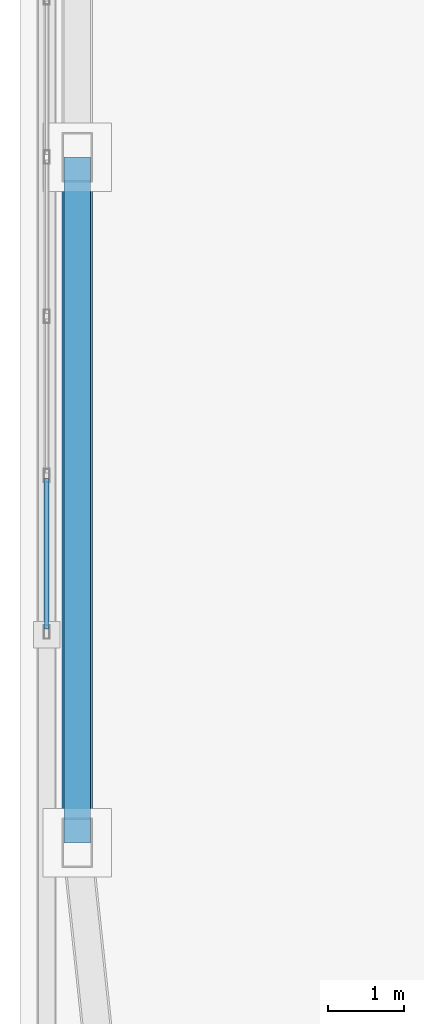
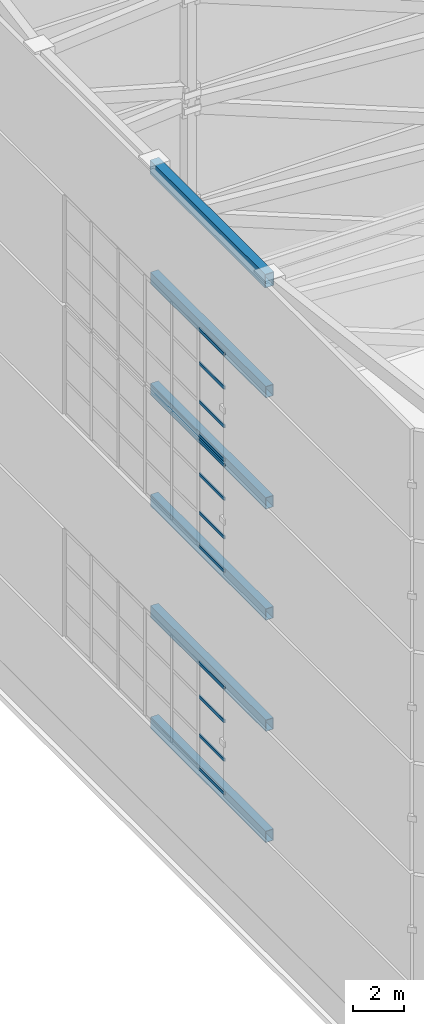
# One storey, part 4 of 47: 12 members, 6 beams, 3 elements without a shape of their own.
"""IFC4 building model written with IfcOpenShell, lengths in metres."""

from ifc_helpers import new_model, si_unit, direction, frame, origin, origin_2d, place, context, subcontext, project, spatial, hollow_rectangle, extrude, material, layer, layer_set, material_profile, profile_set, type_object, element, aggregate, save


model = new_model("IFC4")

# Units and contexts
model_context = context("Model", 3, precision=1e-05, world=origin(), true_north=direction((0.0, 1.0)))
body_context = subcontext(model_context, "Body", "Model", "MODEL_VIEW")
ifc_project = project(units=[si_unit("LENGTHUNIT", "METRE"), si_unit("AREAUNIT", "SQUARE_METRE"), si_unit("VOLUMEUNIT", "CUBIC_METRE"), si_unit("PLANEANGLEUNIT", "RADIAN"), si_unit("MASSUNIT", "GRAM", prefix="KILO")], contexts=[model_context])

# Site, building, storey
site_placement = place(None, origin())
site = spatial("IfcSite", under=ifc_project, at=site_placement, CompositionType="ELEMENT")
building_placement = place(site_placement, origin())
building = spatial("IfcBuilding", under=site, at=building_placement, Name="Qiaolan Cultural Towers", CompositionType="ELEMENT")
storey_placement = place(building_placement, frame((0.0, 0.0, 280.199951171875)))
storey = spatial("IfcBuildingStorey", under=building, at=storey_placement, Name="RF", CompositionType="ELEMENT", Elevation=280.199951171875)

# Beams
ifc_material_1 = material(Name="Steel Q355B", Category="steel")
ifc_material_profile_1 = material_profile(ifc_material_1, hollow_rectangle(XDim=0.39990234375, YDim=0.64990234375, WallThickness=0.02001953125, at=origin_2d()), Name="BOX650x400x20")
ifc_profile_set_1 = profile_set([ifc_material_profile_1], Name="Steel Q355B")
beam_type_1 = type_object("IfcBeamType", Name="BM-CROWN-FRAME-1", PredefinedType="BEAM", material=ifc_profile_set_1)
beam_placement = place(storey_placement, frame((15.35009765625, 34.0, 31.47509765625), z_axis=(0.0, -1.0, 0.0), x_axis=(1.0, 0.0, 0.0)))
element("IfcBeam", 1, at=beam_placement, inside=storey, type_object=beam_type_1, Name="T1 Crown Frame Top Cap Ring Beam T6-12", PredefinedType="BEAM", context=body_context, shape_type="SweptSolid", body=[
    extrude(hollow_rectangle(XDim=0.39990234375, YDim=0.64990234375, WallThickness=0.02001953125, at=origin_2d()), origin(), (0.0, 0.0, 1.0), 9.0),
])
ifc_material_2 = material(Name="Steel Q355B", Category="steel")
ifc_material_profile_2 = material_profile(ifc_material_2, hollow_rectangle(XDim=0.35009765625, YDim=0.550048828125, WallThickness=0.01806640625, at=origin_2d()), Name="BOX550x350x18")
ifc_profile_set_2 = profile_set([ifc_material_profile_2], Name="Steel Q355B")
beam_type_2 = type_object("IfcBeamType", Name="BM-CROWN-FRAME-2", PredefinedType="BEAM", material=ifc_profile_set_2)
for number, where, z_axis, x_axis, name in (
    (2, (15.35009765625, 34.0, 4.97509765625), (0.0, -1.0, 0.0), (1.0, 0.0, 0.0), "T1 Crown Frame Ring Beam T1-12"),
    (3, (15.35009765625, 34.0, 10.275146484375), (0.0, -1.0, 0.0), (1.0, 0.0, 0.0), "T1 Crown Frame Ring Beam T2-12"),
    (4, (15.35009765625, 34.0, 15.574951171875), (0.0, -1.0, 0.0), (1.0, 0.0, 0.0), "T1 Crown Frame Ring Beam T3-12"),
    (5, (15.35009765625, 34.0, 20.875), (0.0, -1.0, 0.0), (1.0, 0.0, 0.0), "T1 Crown Frame Ring Beam T4-12"),
    (6, (15.35009765625, 34.0, 26.175048828125), (0.0, -1.0, 0.0), (1.0, 0.0, 0.0), "T1 Crown Frame Ring Beam T5-12"),
):
    element("IfcBeam", number, at=place(storey_placement, frame(where, z_axis=z_axis, x_axis=x_axis)), inside=storey, type_object=beam_type_2, Name=name, PredefinedType="BEAM", context=body_context, shape_type="SweptSolid", body=[
        extrude(hollow_rectangle(XDim=0.35009765625, YDim=0.550048828125, WallThickness=0.01806640625, at=origin_2d()), origin(), (0.0, 0.0, 1.0), 9.0),
    ])

# Curtain wall, members
ifc_material_3 = material(Name="Unitized Anodized Aluminium Curtain Wall System", Category="aluminium")
ifc_layer = layer(ifc_material_3, 0.199951171875)
ifc_layer_set = layer_set([ifc_layer], Name="Unitized Anodized Aluminium Curtain Wall System")
curtain_wall_type = type_object("IfcCurtainWallType", Name="CWS-06", PredefinedType="NOTDEFINED", material=ifc_layer_set)
curtain_wall_1_placement = place(storey_placement, origin())
curtain_wall_1 = element("IfcCurtainWall", 7, at=curtain_wall_1_placement, inside=storey, type_object=curtain_wall_type, Name="T1 Crown Tier 2 Fritted Screen Curtain Wall 7", PredefinedType="NOTDEFINED")
ifc_material_4 = material(Name="Extruded Aluminium 6063-T6", Category="aluminium")
ifc_material_profile_3 = material_profile(ifc_material_4, hollow_rectangle(XDim=0.06494140625, YDim=0.14990234375, WallThickness=0.00390625, at=origin_2d()), Name="CWT-150x65x4")
ifc_profile_set_3 = profile_set([ifc_material_profile_3], Name="Extruded Aluminium 6063-T6")
member_type = type_object("IfcMemberType", Name="CWS-06-TRN", PredefinedType="USERDEFINED", material=ifc_profile_set_3)
member_1_placement = place(storey_placement, frame((14.949951171875, 29.782470703125, 5.4326171875), z_axis=(0.0, -1.0, 0.0), x_axis=(1.0, 0.0, 0.0)))
member_1 = element("IfcMember", 8, at=member_1_placement, type_object=member_type, Name="CW-6 transom 6.1", ObjectType="TRANSOM", PredefinedType="USERDEFINED", context=body_context, shape_type="SweptSolid", body=[
    extrude(hollow_rectangle(XDim=0.06494140625, YDim=0.14990234375, WallThickness=0.00390625, at=origin_2d()), origin(), (0.0, 0.0, 1.0), 1.9775390625),
])
member_2_placement = place(storey_placement, frame((14.949951171875, 29.782470703125, 7.030029296875), z_axis=(0.0, -1.0, 0.0), x_axis=(1.0, 0.0, 0.0)))
member_2 = element("IfcMember", 9, at=member_2_placement, type_object=member_type, Name="CW-6 transom 6.2", ObjectType="TRANSOM", PredefinedType="USERDEFINED", context=body_context, shape_type="SweptSolid", body=[
    extrude(hollow_rectangle(XDim=0.06494140625, YDim=0.14990234375, WallThickness=0.00390625, at=origin_2d()), origin(), (0.0, 0.0, 1.0), 1.9775390625),
])
member_3_placement = place(storey_placement, frame((14.949951171875, 29.782470703125, 8.8701171875), z_axis=(0.0, -1.0, 0.0), x_axis=(1.0, 0.0, 0.0)))
member_3 = element("IfcMember", 10, at=member_3_placement, type_object=member_type, Name="CW-6 transom 6.3", ObjectType="TRANSOM", PredefinedType="USERDEFINED", context=body_context, shape_type="SweptSolid", body=[
    extrude(hollow_rectangle(XDim=0.06494140625, YDim=0.14990234375, WallThickness=0.00390625, at=origin_2d()), origin(), (0.0, 0.0, 1.0), 1.9775390625),
])
member_4_placement = place(storey_placement, frame((14.949951171875, 29.782470703125, 10.467529296875), z_axis=(0.0, -1.0, 0.0), x_axis=(1.0, 0.0, 0.0)))
member_4 = element("IfcMember", 11, at=member_4_placement, type_object=member_type, Name="CW-6 transom 6.4", ObjectType="TRANSOM", PredefinedType="USERDEFINED", context=body_context, shape_type="SweptSolid", body=[
    extrude(hollow_rectangle(XDim=0.06494140625, YDim=0.14990234375, WallThickness=0.00390625, at=origin_2d()), origin(), (0.0, 0.0, 1.0), 1.9775390625),
])
aggregate(curtain_wall_1, [member_1, member_2, member_3, member_4])

curtain_wall_2_placement = place(storey_placement, origin())
curtain_wall_2 = element("IfcCurtainWall", 12, at=curtain_wall_2_placement, inside=storey, type_object=curtain_wall_type, Name="T1 Crown Tier 4 Fritted Screen Curtain Wall 7", PredefinedType="NOTDEFINED")
member_5_placement = place(storey_placement, frame((14.949951171875, 29.782470703125, 16.032470703125), z_axis=(0.0, -1.0, 0.0), x_axis=(1.0, 0.0, 0.0)))
member_5 = element("IfcMember", 13, at=member_5_placement, type_object=member_type, Name="CW-6 transom 6.1", ObjectType="TRANSOM", PredefinedType="USERDEFINED", context=body_context, shape_type="SweptSolid", body=[
    extrude(hollow_rectangle(XDim=0.06494140625, YDim=0.14990234375, WallThickness=0.00390625, at=origin_2d()), origin(), (0.0, 0.0, 1.0), 1.9775390625),
])
member_6_placement = place(storey_placement, frame((14.949951171875, 29.782470703125, 17.630126953125), z_axis=(0.0, -1.0, 0.0), x_axis=(1.0, 0.0, 0.0)))
member_6 = element("IfcMember", 14, at=member_6_placement, type_object=member_type, Name="CW-6 transom 6.2", ObjectType="TRANSOM", PredefinedType="USERDEFINED", context=body_context, shape_type="SweptSolid", body=[
    extrude(hollow_rectangle(XDim=0.06494140625, YDim=0.14990234375, WallThickness=0.00390625, at=origin_2d()), origin(), (0.0, 0.0, 1.0), 1.9775390625),
])
member_7_placement = place(storey_placement, frame((14.949951171875, 29.782470703125, 19.469970703125), z_axis=(0.0, -1.0, 0.0), x_axis=(1.0, 0.0, 0.0)))
member_7 = element("IfcMember", 15, at=member_7_placement, type_object=member_type, Name="CW-6 transom 6.3", ObjectType="TRANSOM", PredefinedType="USERDEFINED", context=body_context, shape_type="SweptSolid", body=[
    extrude(hollow_rectangle(XDim=0.06494140625, YDim=0.14990234375, WallThickness=0.00390625, at=origin_2d()), origin(), (0.0, 0.0, 1.0), 1.9775390625),
])
member_8_placement = place(storey_placement, frame((14.949951171875, 29.782470703125, 21.067626953125), z_axis=(0.0, -1.0, 0.0), x_axis=(1.0, 0.0, 0.0)))
member_8 = element("IfcMember", 16, at=member_8_placement, type_object=member_type, Name="CW-6 transom 6.4", ObjectType="TRANSOM", PredefinedType="USERDEFINED", context=body_context, shape_type="SweptSolid", body=[
    extrude(hollow_rectangle(XDim=0.06494140625, YDim=0.14990234375, WallThickness=0.00390625, at=origin_2d()), origin(), (0.0, 0.0, 1.0), 1.9775390625),
])
aggregate(curtain_wall_2, [member_5, member_6, member_7, member_8])

curtain_wall_3_placement = place(storey_placement, origin())
curtain_wall_3 = element("IfcCurtainWall", 17, at=curtain_wall_3_placement, inside=storey, type_object=curtain_wall_type, Name="T1 Crown Tier 5 Fritted Screen Curtain Wall 7", PredefinedType="NOTDEFINED")
member_9_placement = place(storey_placement, frame((14.949951171875, 29.782470703125, 21.33251953125), z_axis=(0.0, -1.0, 0.0), x_axis=(1.0, 0.0, 0.0)))
member_9 = element("IfcMember", 18, at=member_9_placement, type_object=member_type, Name="CW-6 transom 6.1", ObjectType="TRANSOM", PredefinedType="USERDEFINED", context=body_context, shape_type="SweptSolid", body=[
    extrude(hollow_rectangle(XDim=0.06494140625, YDim=0.14990234375, WallThickness=0.00390625, at=origin_2d()), origin(), (0.0, 0.0, 1.0), 1.9775390625),
])
member_10_placement = place(storey_placement, frame((14.949951171875, 29.782470703125, 22.929931640625), z_axis=(0.0, -1.0, 0.0), x_axis=(1.0, 0.0, 0.0)))
member_10 = element("IfcMember", 19, at=member_10_placement, type_object=member_type, Name="CW-6 transom 6.2", ObjectType="TRANSOM", PredefinedType="USERDEFINED", context=body_context, shape_type="SweptSolid", body=[
    extrude(hollow_rectangle(XDim=0.06494140625, YDim=0.14990234375, WallThickness=0.00390625, at=origin_2d()), origin(), (0.0, 0.0, 1.0), 1.9775390625),
])
member_11_placement = place(storey_placement, frame((14.949951171875, 29.782470703125, 24.77001953125), z_axis=(0.0, -1.0, 0.0), x_axis=(1.0, 0.0, 0.0)))
member_11 = element("IfcMember", 20, at=member_11_placement, type_object=member_type, Name="CW-6 transom 6.3", ObjectType="TRANSOM", PredefinedType="USERDEFINED", context=body_context, shape_type="SweptSolid", body=[
    extrude(hollow_rectangle(XDim=0.06494140625, YDim=0.14990234375, WallThickness=0.00390625, at=origin_2d()), origin(), (0.0, 0.0, 1.0), 1.9775390625),
])
member_12_placement = place(storey_placement, frame((14.949951171875, 29.782470703125, 26.367431640625), z_axis=(0.0, -1.0, 0.0), x_axis=(1.0, 0.0, 0.0)))
member_12 = element("IfcMember", 21, at=member_12_placement, type_object=member_type, Name="CW-6 transom 6.4", ObjectType="TRANSOM", PredefinedType="USERDEFINED", context=body_context, shape_type="SweptSolid", body=[
    extrude(hollow_rectangle(XDim=0.06494140625, YDim=0.14990234375, WallThickness=0.00390625, at=origin_2d()), origin(), (0.0, 0.0, 1.0), 1.9775390625),
])
aggregate(curtain_wall_3, [member_9, member_10, member_11, member_12])

save(model, "model.ifc")
